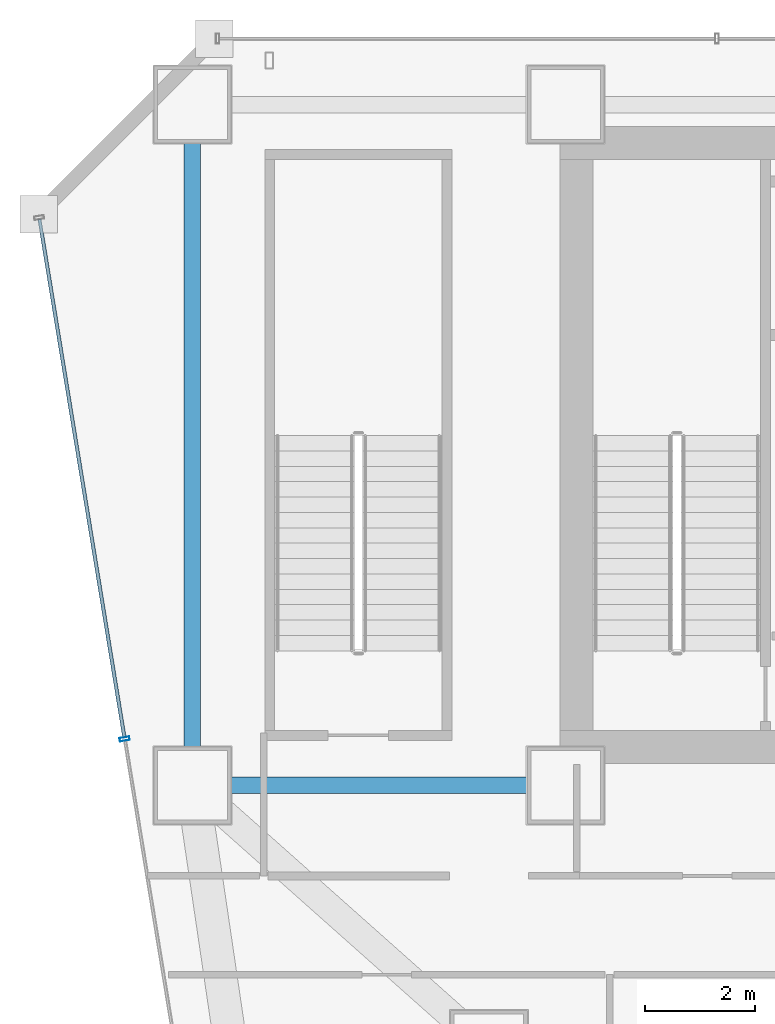
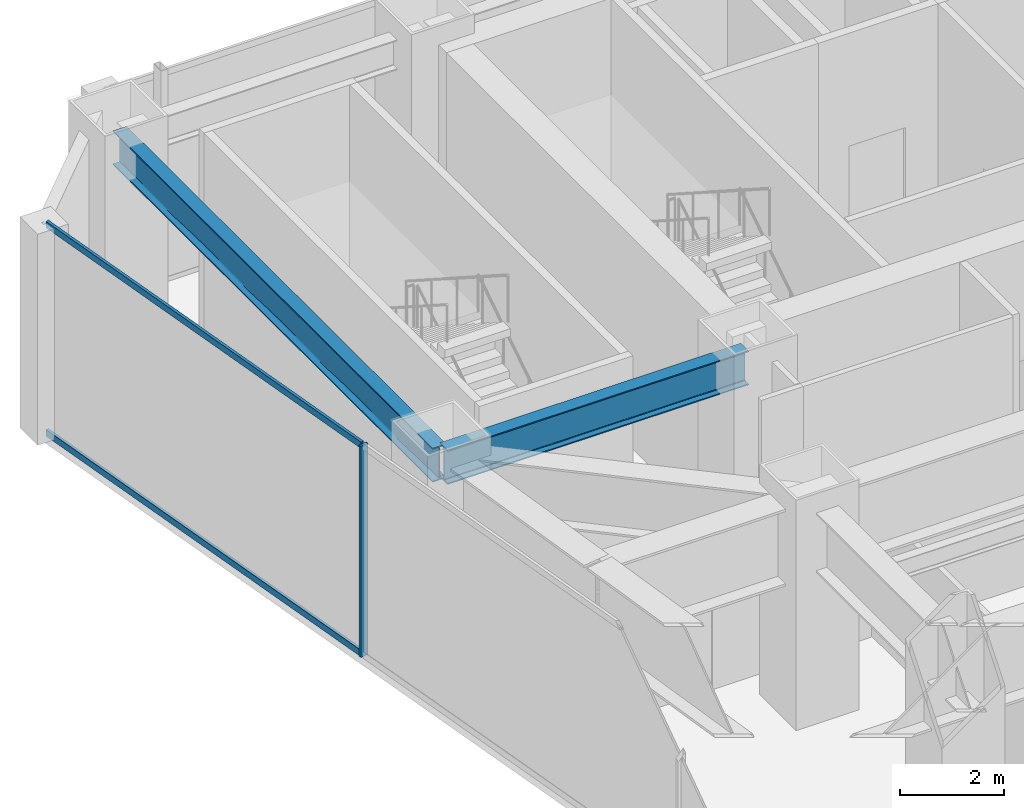
# One storey, part 26 of 42: 3 members, 2 beams, 1 element without a shape of its own.
"""IFC4 building model written with IfcOpenShell, lengths in metres."""

import ifcopenshell
import ifcopenshell.guid

model = None  # the IFC model being written
_history = None  # IfcOwnerHistory: only IFC2X3 demands one
_inside = {}  # id of a spatial element -> (the spatial element, [elements in it])
_under = {}  # id of a project, library or spatial element -> (it, [spatial elements below it])
_declared = {}  # id of a project -> (the project, [libraries it declares])
_typed = {}  # id of a type object -> (the type object, [elements of that type])
_made_of = {}  # id of a material, layer set ... -> (it, [elements and type objects made of it])


def new_model(schema):
    """Start an empty IFC model of exactly this schema.

    Asked for "IFC4X3", IfcOpenShell would pick the latest addendum, in which some entities
    have other attributes; the version numbers below select the first issue.
    IFC2X3 requires an IfcOwnerHistory on every rooted entity: one is made here for all.
    """
    global model, _history
    if schema == "IFC4X3":
        model = ifcopenshell.file(schema_version=(4, 3, 0, 0))
    else:
        model = ifcopenshell.file(schema=schema)
    _inside.clear()
    _under.clear()
    _declared.clear()
    _typed.clear()
    _made_of.clear()
    _history = None
    if model.schema == "IFC2X3":
        org = make("IfcOrganization", Name="unknown")
        user = make(
            "IfcPersonAndOrganization",
            ThePerson=make("IfcPerson", FamilyName="unknown"),
            TheOrganization=org,
        )
        app = make(
            "IfcApplication",
            ApplicationDeveloper=org,
            Version="unknown",
            ApplicationFullName="unknown",
            ApplicationIdentifier="unknown",
        )
        _history = make(
            "IfcOwnerHistory",
            OwningUser=user,
            OwningApplication=app,
            ChangeAction="ADDED",
            CreationDate=0,
        )
    return model


def make(cls, **values):
    """One entity of the class cls with the attributes given. An attribute that is None is left unset."""
    return model.create_entity(
        cls, **{name: value for name, value in values.items() if value is not None}
    )


def rooted(cls, **values):
    """An entity with a GlobalId (a new one), such as an element, a storey or a relation."""
    return make(cls, GlobalId=ifcopenshell.guid.new(), OwnerHistory=_history, **values)


def si_unit(unit_type, name, prefix=None):
    """IfcSIUnit, for example si_unit("LENGTHUNIT", "METRE", prefix="MILLI")."""
    return make("IfcSIUnit", UnitType=unit_type, Prefix=prefix, Name=name)


def assignment(units):
    """IfcUnitAssignment: the units of a project."""
    return None if units is None else make("IfcUnitAssignment", Units=units)


def point(xyz):
    """IfcCartesianPoint."""
    return None if xyz is None else make("IfcCartesianPoint", Coordinates=xyz)


def direction(xyz):
    """IfcDirection."""
    return None if xyz is None else make("IfcDirection", DirectionRatios=xyz)


def frame(location, z_axis=None, x_axis=None):
    """IfcAxis2Placement3D, a coordinate frame: its origin and axes. An axis left out is left unset."""
    return make(
        "IfcAxis2Placement3D",
        Location=point(location),
        Axis=direction(z_axis),
        RefDirection=direction(x_axis),
    )


def frame_2d(location, x_axis=None):
    """IfcAxis2Placement2D, a coordinate frame in the plane: its origin and x axis."""
    return make(
        "IfcAxis2Placement2D", Location=point(location), RefDirection=direction(x_axis)
    )


def origin():
    """The frame at (0, 0, 0) with its axes left unset."""
    return frame((0.0, 0.0, 0.0))


def origin_2d():
    """The frame at (0, 0) in the plane with its x axis left unset."""
    return frame_2d((0.0, 0.0))


def place(relative_to, where):
    """IfcLocalPlacement: puts the frame where relative to a parent placement (None: the world)."""
    return make(
        "IfcLocalPlacement", PlacementRelTo=relative_to, RelativePlacement=where
    )


def context(
    kind, dimensions, precision=None, world=None, true_north=None, identifier=None
):
    """IfcGeometricRepresentationContext, for example the 3D "Model" context."""
    return make(
        "IfcGeometricRepresentationContext",
        ContextIdentifier=identifier,
        ContextType=kind,
        CoordinateSpaceDimension=dimensions,
        Precision=precision,
        WorldCoordinateSystem=world,
        TrueNorth=true_north,
    )


def subcontext(parent, identifier, kind, view, scale=None):
    """IfcGeometricRepresentationSubContext, for example "Body" below "Model"."""
    return make(
        "IfcGeometricRepresentationSubContext",
        ContextIdentifier=identifier,
        ContextType=kind,
        ParentContext=parent,
        TargetScale=scale,
        TargetView=view,
    )


def project(units=None, contexts=None):
    """IfcProject with its units and contexts."""
    return rooted(
        "IfcProject",
        Name="project",
        RepresentationContexts=contexts,
        UnitsInContext=assignment(units),
    )


def spatial(cls, under=None, at=None, **own):
    """A site, building, storey or space (cls), placed at a placement, below another one or the project."""
    s = rooted(cls, ObjectPlacement=at, **own)
    if under is not None:
        _under.setdefault(under.id(), (under, []))[1].append(s)
    return s


def profile(cls, at=None, kind="AREA", **sizes):
    """A parametric profile (cls). Its sizes go by their IFC names, for example OverallWidth=200.0."""
    return make(cls, ProfileType=kind, Position=at, **sizes)


def hollow_rectangle(**sizes):
    """IfcRectangleHollowProfileDef."""
    return profile("IfcRectangleHollowProfileDef", **sizes)


def i_section(**sizes):
    """IfcIShapeProfileDef."""
    return profile("IfcIShapeProfileDef", **sizes)


def extrude(swept, where, along, depth):
    """IfcExtrudedAreaSolid: the profile swept, set in the frame where, extruded along a direction by depth."""
    return make(
        "IfcExtrudedAreaSolid",
        SweptArea=swept,
        Position=where,
        ExtrudedDirection=direction(along),
        Depth=depth,
    )


def shape(context_of_items, identifier, shape_type, items):
    """IfcShapeRepresentation: the items that make up one representation, for example the "Body"."""
    return make(
        "IfcShapeRepresentation",
        ContextOfItems=context_of_items,
        RepresentationIdentifier=identifier,
        RepresentationType=shape_type,
        Items=items,
    )


def material(Name=None, Category=None):
    """IfcMaterial."""
    return make("IfcMaterial", Name=Name, Category=Category)


def material_profile(
    of_material, cross_section, Name=None, Category=None, Priority=None
):
    """IfcMaterialProfile: a cross section and its material."""
    return make(
        "IfcMaterialProfile",
        Name=Name,
        Material=of_material,
        Profile=cross_section,
        Priority=Priority,
        Category=Category,
    )


def profile_set(profiles, Name=None, composite=None):
    """IfcMaterialProfileSet."""
    return make(
        "IfcMaterialProfileSet",
        Name=Name,
        MaterialProfiles=profiles,
        CompositeProfile=composite,
    )


def made_of(thing, what):
    """Note that an element or type object is made of a material, layer set ...; save() writes the relation."""
    if what is not None:
        _made_of.setdefault(what.id(), (what, []))[1].append(thing)
    return thing


def type_object(cls, material=None, **own):
    """A type object (cls), such as IfcWallType, which elements share."""
    return made_of(rooted(cls, **own), material)


def element(
    cls,
    number,
    at=None,
    inside=None,
    cuts=None,
    type_object=None,
    material=None,
    context=None,
    identifier="Body",
    shape_type=None,
    held_by="IfcProductDefinitionShape",
    body=None,
    shapes=None,
    **own,
):
    """One element of the class cls, such as IfcWall. Its Tag is "e" and its number.

    at: its placement. inside: the storey or other place that contains it. cuts: it is an
    opening in that element (IfcRelVoidsElement). A single representation is given by context,
    identifier, shape_type and body (its items); several are given by shapes. held_by: the class
    of the entity that holds the representations. save() writes the other relations.
    """
    e = rooted(cls, Tag="e%d" % number, ObjectPlacement=at, **own)
    if body is not None:
        shapes = [shape(context, identifier, shape_type, body)]
    if shapes is not None:
        e.Representation = make(held_by, Representations=shapes)
    if inside is not None:
        _inside.setdefault(inside.id(), (inside, []))[1].append(e)
    if cuts is not None:
        rooted(
            "IfcRelVoidsElement", RelatingBuildingElement=cuts, RelatedOpeningElement=e
        )
    if type_object is not None:
        _typed.setdefault(type_object.id(), (type_object, []))[1].append(e)
    return made_of(e, material)


def aggregate(whole, parts):
    """IfcRelAggregates: a whole, such as a stair, and the parts it consists of."""
    return rooted("IfcRelAggregates", RelatingObject=whole, RelatedObjects=parts)


def save(model, path):
    """Write the relations noted so far, then the file.

    IfcRelAggregates (storeys below a building ...), IfcRelContainedInSpatialStructure (elements
    in a storey), IfcRelDefinesByType, IfcRelAssociatesMaterial and IfcRelDeclares: one each for
    every whole, place, type object, material and project.
    """
    for whole, parts in _under.values():
        aggregate(whole, parts)
    for where, things in _inside.values():
        rooted(
            "IfcRelContainedInSpatialStructure",
            RelatedElements=things,
            RelatingStructure=where,
        )
    for kind, things in _typed.values():
        rooted("IfcRelDefinesByType", RelatedObjects=things, RelatingType=kind)
    for what, things in _made_of.values():
        rooted("IfcRelAssociatesMaterial", RelatedObjects=things, RelatingMaterial=what)
    for by, libraries in _declared.values():
        rooted("IfcRelDeclares", RelatingContext=by, RelatedDefinitions=libraries)
    model.write(path)


model = new_model("IFC4")

# Units and contexts
model_context = context("Model", 3, precision=1e-05, world=origin(), true_north=direction((0.0, 1.0)))
body_context = subcontext(model_context, "Body", "Model", "MODEL_VIEW")
ifc_project = project(units=[si_unit("LENGTHUNIT", "METRE"), si_unit("AREAUNIT", "SQUARE_METRE"), si_unit("VOLUMEUNIT", "CUBIC_METRE"), si_unit("PLANEANGLEUNIT", "RADIAN"), si_unit("MASSUNIT", "GRAM", prefix="KILO")], contexts=[model_context])

# Site, building, storey
site_placement = place(None, origin())
site = spatial("IfcSite", under=ifc_project, at=site_placement, CompositionType="ELEMENT")
building_placement = place(site_placement, origin())
building = spatial("IfcBuilding", under=site, at=building_placement, Name="Saevonmaru Cultural Tower", CompositionType="ELEMENT")
storey_placement = place(building_placement, frame((0.0, 0.0, 33.0)))
storey = spatial("IfcBuildingStorey", under=building, at=storey_placement, Name="L06", CompositionType="ELEMENT", Elevation=33.0)

# Beams
ifc_material_1 = material(Name="Steel SM420", Category="steel")
ifc_material_profile_1 = material_profile(ifc_material_1, i_section(OverallWidth=0.300048828125, OverallDepth=0.800048828125, WebThickness=0.013916015625, FlangeThickness=0.02587890625, FilletRadius=0.028076171875, at=origin_2d()), Name="H-800x300x14x26")
ifc_profile_set_1 = profile_set([ifc_material_profile_1], Name="Steel SM420")
beam_type = type_object("IfcBeamType", Name="BM-G-H800", PredefinedType="BEAM", material=ifc_profile_set_1)
beam_1_placement = place(storey_placement, frame((6.860107421875, 42.39990234375, 4.550048828125), z_axis=(1.0, 0.0, 0.0), x_axis=(0.0, 1.0, 0.0)))
element("IfcBeam", 1, at=beam_1_placement, inside=storey, type_object=beam_type, Name="L06 Core South Girder 1", PredefinedType="BEAM", context=body_context, shape_type="SweptSolid", body=[
    extrude(i_section(OverallWidth=0.300048828125, OverallDepth=0.800048828125, WebThickness=0.013916015625, FlangeThickness=0.02587890625, FilletRadius=0.028076171875, at=origin_2d()), origin(), (0.0, 0.0, 1.0), 6.679931640625),
])
beam_2_placement = place(storey_placement, frame((6.800048828125, 54.739990234375, 4.550048828125), z_axis=(0.0, -1.0, 0.0), x_axis=(1.0, 0.0, 0.0)))
element("IfcBeam", 2, at=beam_2_placement, inside=storey, type_object=beam_type, Name="L06 Spine Transverse Girder W", PredefinedType="BEAM", context=body_context, shape_type="SweptSolid", body=[
    extrude(i_section(OverallWidth=0.300048828125, OverallDepth=0.800048828125, WebThickness=0.013916015625, FlangeThickness=0.02587890625, FilletRadius=0.028076171875, at=origin_2d()), origin(), (0.0, 0.0, 1.0), 12.280029296875),
])

# Curtain wall, members
ifc_material_2 = material(Name="Satin Bronze Anodised Aluminium", Category="aluminium")
curtain_wall_type = type_object("IfcCurtainWallType", Name="CW-SKY-GLZ", PredefinedType="NOTDEFINED", material=ifc_material_2)
curtain_wall_placement = place(storey_placement, origin())
curtain_wall = element("IfcCurtainWall", 3, at=curtain_wall_placement, inside=storey, type_object=curtain_wall_type, Name="L06 Unitised Curtain Wall E12", PredefinedType="NOTDEFINED")
ifc_material_profile_2 = material_profile(ifc_material_2, hollow_rectangle(XDim=0.06494140625, YDim=0.179931640625, WallThickness=0.00390625, at=origin_2d()), Name="ALU-MULL-180x65x4")
ifc_profile_set_2 = profile_set([ifc_material_profile_2], Name="Satin Bronze Anodised Aluminium")
member_type_1 = type_object("IfcMemberType", Name="ML-CW-180x65", PredefinedType="MULLION", material=ifc_profile_set_2)
member_1_placement = place(storey_placement, frame((5.56591796875, 43.244384765625, 0.0), z_axis=(0.0, 0.0, 1.0), x_axis=(0.161708868641, -0.986838508472, 0.0)))
member_1 = element("IfcMember", 4, at=member_1_placement, type_object=member_type_1, Name="CW-TW-L06-E12 mullion 2", PredefinedType="MULLION", context=body_context, shape_type="SweptSolid", body=[
    extrude(hollow_rectangle(XDim=0.06494140625, YDim=0.179931640625, WallThickness=0.00390625, at=origin_2d()), origin(), (0.0, 0.0, 1.0), 4.949951171875),
])
ifc_material_profile_3 = material_profile(ifc_material_2, hollow_rectangle(XDim=0.06494140625, YDim=0.14990234375, WallThickness=0.00390625, at=origin_2d()), Name="ALU-TRAN-150x65x4")
ifc_profile_set_3 = profile_set([ifc_material_profile_3], Name="Satin Bronze Anodised Aluminium")
member_type_2 = type_object("IfcMemberType", Name="TR-CW-150x65", PredefinedType="USERDEFINED", material=ifc_profile_set_3)
member_2_placement = place(storey_placement, frame((4.014892578125, 52.708740234375, 0.032470703125), z_axis=(0.161714267134, -0.986837623829, 0.0), x_axis=(0.986837623829, 0.161714267134, 0.0)))
member_2 = element("IfcMember", 5, at=member_2_placement, type_object=member_type_2, Name="CW-TW-L06-E12 transom 1.1", ObjectType="TRANSOM", PredefinedType="USERDEFINED", context=body_context, shape_type="SweptSolid", body=[
    extrude(hollow_rectangle(XDim=0.06494140625, YDim=0.14990234375, WallThickness=0.00390625, at=origin_2d()), origin(), (0.0, 0.0, 1.0), 9.557861328125),
])
member_3_placement = place(storey_placement, frame((4.014892578125, 52.708740234375, 4.91748046875), z_axis=(0.161714267134, -0.986837623829, 0.0), x_axis=(0.986837623829, 0.161714267134, 0.0)))
member_3 = element("IfcMember", 6, at=member_3_placement, type_object=member_type_2, Name="CW-TW-L06-E12 transom 1.2", ObjectType="TRANSOM", PredefinedType="USERDEFINED", context=body_context, shape_type="SweptSolid", body=[
    extrude(hollow_rectangle(XDim=0.06494140625, YDim=0.14990234375, WallThickness=0.00390625, at=origin_2d()), origin(), (0.0, 0.0, 1.0), 9.557861328125),
])
aggregate(curtain_wall, [member_1, member_2, member_3])

save(model, "model.ifc")
